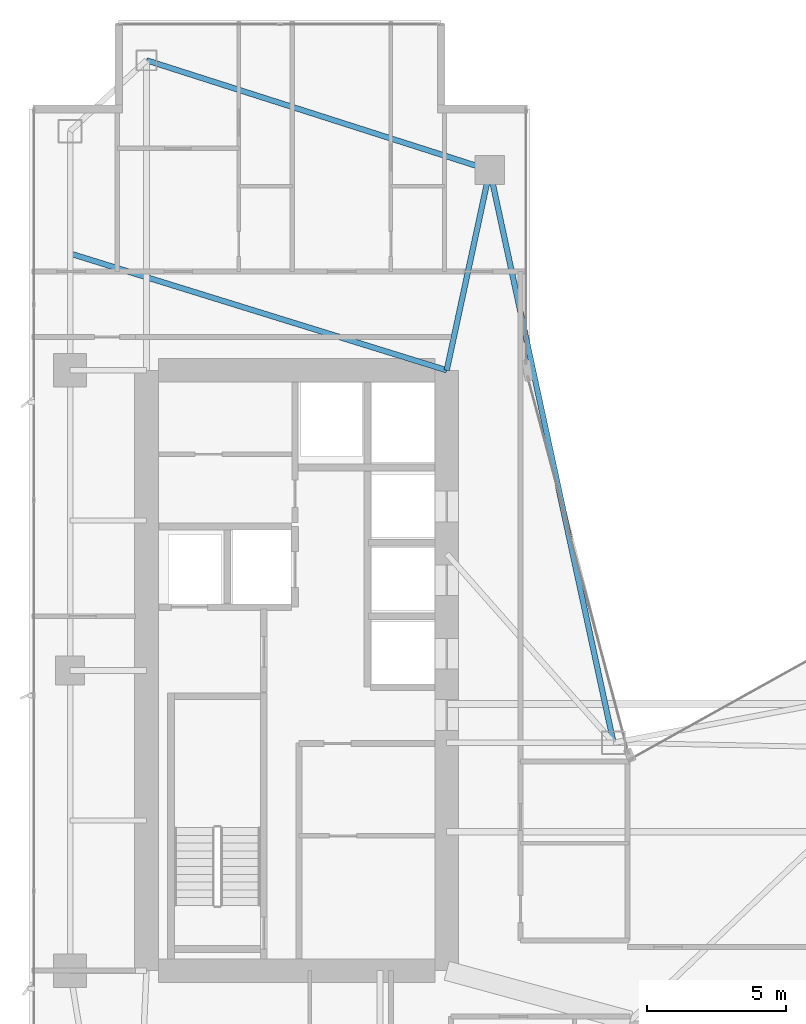
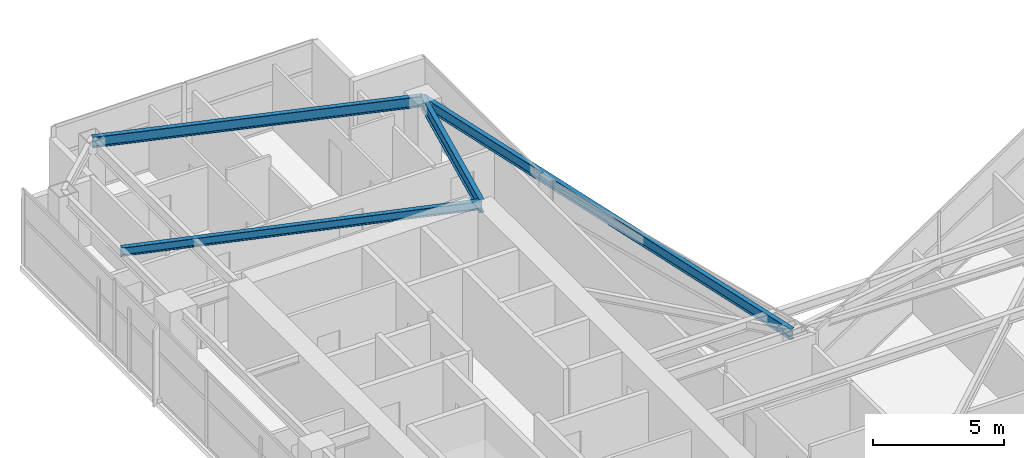
# One storey, part 17 of 28: 4 beams.
"""IFC4 building model written with IfcOpenShell, lengths in metres."""

import ifcopenshell
import ifcopenshell.guid

model = None  # the IFC model being written
_history = None  # IfcOwnerHistory: only IFC2X3 demands one
_inside = {}  # id of a spatial element -> (the spatial element, [elements in it])
_under = {}  # id of a project, library or spatial element -> (it, [spatial elements below it])
_declared = {}  # id of a project -> (the project, [libraries it declares])
_typed = {}  # id of a type object -> (the type object, [elements of that type])
_made_of = {}  # id of a material, layer set ... -> (it, [elements and type objects made of it])


def new_model(schema):
    """Start an empty IFC model of exactly this schema.

    Asked for "IFC4X3", IfcOpenShell would pick the latest addendum, in which some entities
    have other attributes; the version numbers below select the first issue.
    IFC2X3 requires an IfcOwnerHistory on every rooted entity: one is made here for all.
    """
    global model, _history
    if schema == "IFC4X3":
        model = ifcopenshell.file(schema_version=(4, 3, 0, 0))
    else:
        model = ifcopenshell.file(schema=schema)
    _inside.clear()
    _under.clear()
    _declared.clear()
    _typed.clear()
    _made_of.clear()
    _history = None
    if model.schema == "IFC2X3":
        org = make("IfcOrganization", Name="unknown")
        user = make(
            "IfcPersonAndOrganization",
            ThePerson=make("IfcPerson", FamilyName="unknown"),
            TheOrganization=org,
        )
        app = make(
            "IfcApplication",
            ApplicationDeveloper=org,
            Version="unknown",
            ApplicationFullName="unknown",
            ApplicationIdentifier="unknown",
        )
        _history = make(
            "IfcOwnerHistory",
            OwningUser=user,
            OwningApplication=app,
            ChangeAction="ADDED",
            CreationDate=0,
        )
    return model


def make(cls, **values):
    """One entity of the class cls with the attributes given. An attribute that is None is left unset."""
    return model.create_entity(
        cls, **{name: value for name, value in values.items() if value is not None}
    )


def rooted(cls, **values):
    """An entity with a GlobalId (a new one), such as an element, a storey or a relation."""
    return make(cls, GlobalId=ifcopenshell.guid.new(), OwnerHistory=_history, **values)


def si_unit(unit_type, name, prefix=None):
    """IfcSIUnit, for example si_unit("LENGTHUNIT", "METRE", prefix="MILLI")."""
    return make("IfcSIUnit", UnitType=unit_type, Prefix=prefix, Name=name)


def assignment(units):
    """IfcUnitAssignment: the units of a project."""
    return None if units is None else make("IfcUnitAssignment", Units=units)


def point(xyz):
    """IfcCartesianPoint."""
    return None if xyz is None else make("IfcCartesianPoint", Coordinates=xyz)


def direction(xyz):
    """IfcDirection."""
    return None if xyz is None else make("IfcDirection", DirectionRatios=xyz)


def frame(location, z_axis=None, x_axis=None):
    """IfcAxis2Placement3D, a coordinate frame: its origin and axes. An axis left out is left unset."""
    return make(
        "IfcAxis2Placement3D",
        Location=point(location),
        Axis=direction(z_axis),
        RefDirection=direction(x_axis),
    )


def frame_2d(location, x_axis=None):
    """IfcAxis2Placement2D, a coordinate frame in the plane: its origin and x axis."""
    return make(
        "IfcAxis2Placement2D", Location=point(location), RefDirection=direction(x_axis)
    )


def origin():
    """The frame at (0, 0, 0) with its axes left unset."""
    return frame((0.0, 0.0, 0.0))


def origin_2d():
    """The frame at (0, 0) in the plane with its x axis left unset."""
    return frame_2d((0.0, 0.0))


def place(relative_to, where):
    """IfcLocalPlacement: puts the frame where relative to a parent placement (None: the world)."""
    return make(
        "IfcLocalPlacement", PlacementRelTo=relative_to, RelativePlacement=where
    )


def context(
    kind, dimensions, precision=None, world=None, true_north=None, identifier=None
):
    """IfcGeometricRepresentationContext, for example the 3D "Model" context."""
    return make(
        "IfcGeometricRepresentationContext",
        ContextIdentifier=identifier,
        ContextType=kind,
        CoordinateSpaceDimension=dimensions,
        Precision=precision,
        WorldCoordinateSystem=world,
        TrueNorth=true_north,
    )


def subcontext(parent, identifier, kind, view, scale=None):
    """IfcGeometricRepresentationSubContext, for example "Body" below "Model"."""
    return make(
        "IfcGeometricRepresentationSubContext",
        ContextIdentifier=identifier,
        ContextType=kind,
        ParentContext=parent,
        TargetScale=scale,
        TargetView=view,
    )


def project(units=None, contexts=None):
    """IfcProject with its units and contexts."""
    return rooted(
        "IfcProject",
        Name="project",
        RepresentationContexts=contexts,
        UnitsInContext=assignment(units),
    )


def spatial(cls, under=None, at=None, **own):
    """A site, building, storey or space (cls), placed at a placement, below another one or the project."""
    s = rooted(cls, ObjectPlacement=at, **own)
    if under is not None:
        _under.setdefault(under.id(), (under, []))[1].append(s)
    return s


def profile(cls, at=None, kind="AREA", **sizes):
    """A parametric profile (cls). Its sizes go by their IFC names, for example OverallWidth=200.0."""
    return make(cls, ProfileType=kind, Position=at, **sizes)


def i_section(**sizes):
    """IfcIShapeProfileDef."""
    return profile("IfcIShapeProfileDef", **sizes)


def extrude(swept, where, along, depth):
    """IfcExtrudedAreaSolid: the profile swept, set in the frame where, extruded along a direction by depth."""
    return make(
        "IfcExtrudedAreaSolid",
        SweptArea=swept,
        Position=where,
        ExtrudedDirection=direction(along),
        Depth=depth,
    )


def shape(context_of_items, identifier, shape_type, items):
    """IfcShapeRepresentation: the items that make up one representation, for example the "Body"."""
    return make(
        "IfcShapeRepresentation",
        ContextOfItems=context_of_items,
        RepresentationIdentifier=identifier,
        RepresentationType=shape_type,
        Items=items,
    )


def material(Name=None, Category=None):
    """IfcMaterial."""
    return make("IfcMaterial", Name=Name, Category=Category)


def material_profile(
    of_material, cross_section, Name=None, Category=None, Priority=None
):
    """IfcMaterialProfile: a cross section and its material."""
    return make(
        "IfcMaterialProfile",
        Name=Name,
        Material=of_material,
        Profile=cross_section,
        Priority=Priority,
        Category=Category,
    )


def profile_set(profiles, Name=None, composite=None):
    """IfcMaterialProfileSet."""
    return make(
        "IfcMaterialProfileSet",
        Name=Name,
        MaterialProfiles=profiles,
        CompositeProfile=composite,
    )


def made_of(thing, what):
    """Note that an element or type object is made of a material, layer set ...; save() writes the relation."""
    if what is not None:
        _made_of.setdefault(what.id(), (what, []))[1].append(thing)
    return thing


def type_object(cls, material=None, **own):
    """A type object (cls), such as IfcWallType, which elements share."""
    return made_of(rooted(cls, **own), material)


def element(
    cls,
    number,
    at=None,
    inside=None,
    cuts=None,
    type_object=None,
    material=None,
    context=None,
    identifier="Body",
    shape_type=None,
    held_by="IfcProductDefinitionShape",
    body=None,
    shapes=None,
    **own,
):
    """One element of the class cls, such as IfcWall. Its Tag is "e" and its number.

    at: its placement. inside: the storey or other place that contains it. cuts: it is an
    opening in that element (IfcRelVoidsElement). A single representation is given by context,
    identifier, shape_type and body (its items); several are given by shapes. held_by: the class
    of the entity that holds the representations. save() writes the other relations.
    """
    e = rooted(cls, Tag="e%d" % number, ObjectPlacement=at, **own)
    if body is not None:
        shapes = [shape(context, identifier, shape_type, body)]
    if shapes is not None:
        e.Representation = make(held_by, Representations=shapes)
    if inside is not None:
        _inside.setdefault(inside.id(), (inside, []))[1].append(e)
    if cuts is not None:
        rooted(
            "IfcRelVoidsElement", RelatingBuildingElement=cuts, RelatedOpeningElement=e
        )
    if type_object is not None:
        _typed.setdefault(type_object.id(), (type_object, []))[1].append(e)
    return made_of(e, material)


def aggregate(whole, parts):
    """IfcRelAggregates: a whole, such as a stair, and the parts it consists of."""
    return rooted("IfcRelAggregates", RelatingObject=whole, RelatedObjects=parts)


def save(model, path):
    """Write the relations noted so far, then the file.

    IfcRelAggregates (storeys below a building ...), IfcRelContainedInSpatialStructure (elements
    in a storey), IfcRelDefinesByType, IfcRelAssociatesMaterial and IfcRelDeclares: one each for
    every whole, place, type object, material and project.
    """
    for whole, parts in _under.values():
        aggregate(whole, parts)
    for where, things in _inside.values():
        rooted(
            "IfcRelContainedInSpatialStructure",
            RelatedElements=things,
            RelatingStructure=where,
        )
    for kind, things in _typed.values():
        rooted("IfcRelDefinesByType", RelatedObjects=things, RelatingType=kind)
    for what, things in _made_of.values():
        rooted("IfcRelAssociatesMaterial", RelatedObjects=things, RelatingMaterial=what)
    for by, libraries in _declared.values():
        rooted("IfcRelDeclares", RelatingContext=by, RelatedDefinitions=libraries)
    model.write(path)


model = new_model("IFC4")

# Units and contexts
model_context = context("Model", 3, precision=1e-05, world=origin(), true_north=direction((0.0, 1.0)))
body_context = subcontext(model_context, "Body", "Model", "MODEL_VIEW")
ifc_project = project(units=[si_unit("LENGTHUNIT", "METRE"), si_unit("AREAUNIT", "SQUARE_METRE"), si_unit("VOLUMEUNIT", "CUBIC_METRE"), si_unit("PLANEANGLEUNIT", "RADIAN"), si_unit("MASSUNIT", "GRAM", prefix="KILO")], contexts=[model_context])

# Site, building, storey
site_placement = place(None, origin())
site = spatial("IfcSite", under=ifc_project, at=site_placement, CompositionType="ELEMENT")
building_placement = place(site_placement, origin())
building = spatial("IfcBuilding", under=site, at=building_placement, Name="Calvorn Quay Hotel", CompositionType="ELEMENT")
storey_placement = place(building_placement, frame((0.0, 0.0, 178.89990234375)))
storey = spatial("IfcBuildingStorey", under=building, at=storey_placement, Name="L44", CompositionType="ELEMENT", Elevation=178.89990234375)

# Beams
ifc_material_1 = material(Name="Steel Q355B", Category="steel")
ifc_material_profile_1 = material_profile(ifc_material_1, i_section(OverallWidth=0.199951171875, OverallDepth=0.60009765625, WebThickness=0.010986328125, FlangeThickness=0.01708984375, FilletRadius=0.01806640625, at=origin_2d()), Name="HN600x200x11x17")
ifc_profile_set_1 = profile_set([ifc_material_profile_1], Name="Steel Q355B")
beam_type_1 = type_object("IfcBeamType", Name="BM-GIRD-TYP", PredefinedType="BEAM", material=ifc_profile_set_1)
beam_1_placement = place(storey_placement, frame((16.550048828125, 45.60009765625, 3.239990234375), z_axis=(-0.210457140491, -0.97760308511, 0.0), x_axis=(0.97760308511, -0.210457140491, 0.0)))
element("IfcBeam", 1, at=beam_1_placement, inside=storey, type_object=beam_type_1, Name="Beam BG-L44-W6", PredefinedType="BEAM", context=body_context, shape_type="SweptSolid", body=[
    extrude(i_section(OverallWidth=0.199951171875, OverallDepth=0.60009765625, WebThickness=0.010986328125, FlangeThickness=0.01708984375, FilletRadius=0.01806640625, at=origin_2d()), origin(), (0.0, 0.0, 1.0), 7.365234375),
])
ifc_material_2 = material(Name="Steel Q355B", Category="steel")
ifc_material_profile_2 = material_profile(ifc_material_2, i_section(OverallWidth=0.199951171875, OverallDepth=0.39990234375, WebThickness=0.008056640625, FlangeThickness=0.012939453125, FilletRadius=0.01611328125, at=origin_2d()), Name="HN400x200x8x13")
ifc_profile_set_2 = profile_set([ifc_material_profile_2], Name="Steel Q355B")
beam_type_2 = type_object("IfcBeamType", Name="BM-JOIST-TYP", PredefinedType="JOIST", material=ifc_profile_set_2)
beam_2_placement = place(storey_placement, frame((1.449951171875, 42.60009765625, 3.340087890625), z_axis=(0.955163702122, -0.296078202759, 0.0), x_axis=(0.296078202759, 0.955163702122, 0.0)))
element("IfcBeam", 2, at=beam_2_placement, inside=storey, type_object=beam_type_2, Name="Beam BJ-L44-W2", PredefinedType="JOIST", context=body_context, shape_type="SweptSolid", body=[
    extrude(i_section(OverallWidth=0.199951171875, OverallDepth=0.39990234375, WebThickness=0.008056640625, FlangeThickness=0.012939453125, FilletRadius=0.01611328125, at=origin_2d()), origin(), (0.0, 0.0, 1.0), 14.18603515625),
])
ifc_material_3 = material(Name="Steel Q355B", Category="steel")
ifc_material_profile_3 = material_profile(ifc_material_3, i_section(OverallWidth=0.199951171875, OverallDepth=0.5, WebThickness=0.010009765625, FlangeThickness=0.01611328125, FilletRadius=0.01611328125, at=origin_2d()), Name="HN500x200x10x16")
ifc_profile_set_3 = profile_set([ifc_material_profile_3], Name="Steel Q355B")
beam_type_3 = type_object("IfcBeamType", Name="BM-SPANDREL-Z1", PredefinedType="SPANDREL", material=ifc_profile_set_3)
beam_3_placement = place(storey_placement, frame((4.199951171875, 49.550048828125, 3.2900390625), z_axis=(0.952470702374, -0.304630203885, 0.0), x_axis=(0.304630203885, 0.952470702374, 0.0)))
element("IfcBeam", 3, at=beam_3_placement, inside=storey, type_object=beam_type_3, Name="Beam BSP-L44-W6", PredefinedType="SPANDREL", context=body_context, shape_type="SweptSolid", body=[
    extrude(i_section(OverallWidth=0.199951171875, OverallDepth=0.5, WebThickness=0.010009765625, FlangeThickness=0.01611328125, FilletRadius=0.01611328125, at=origin_2d()), origin(), (0.0, 0.0, 1.0), 12.96630859375),
])
beam_4_placement = place(storey_placement, frame((16.550048828125, 45.60009765625, 3.2900390625), z_axis=(0.211145848376, -0.977454567084, 0.0), x_axis=(0.977454567084, 0.211145848376, 0.0)))
element("IfcBeam", 4, at=beam_4_placement, inside=storey, type_object=beam_type_3, Name="Beam BSP-L44-W7", PredefinedType="SPANDREL", context=body_context, shape_type="SweptSolid", body=[
    extrude(i_section(OverallWidth=0.199951171875, OverallDepth=0.5, WebThickness=0.010009765625, FlangeThickness=0.01611328125, FilletRadius=0.01611328125, at=origin_2d()), origin(), (0.0, 0.0, 1.0), 21.0751953125),
])

save(model, "model.ifc")
